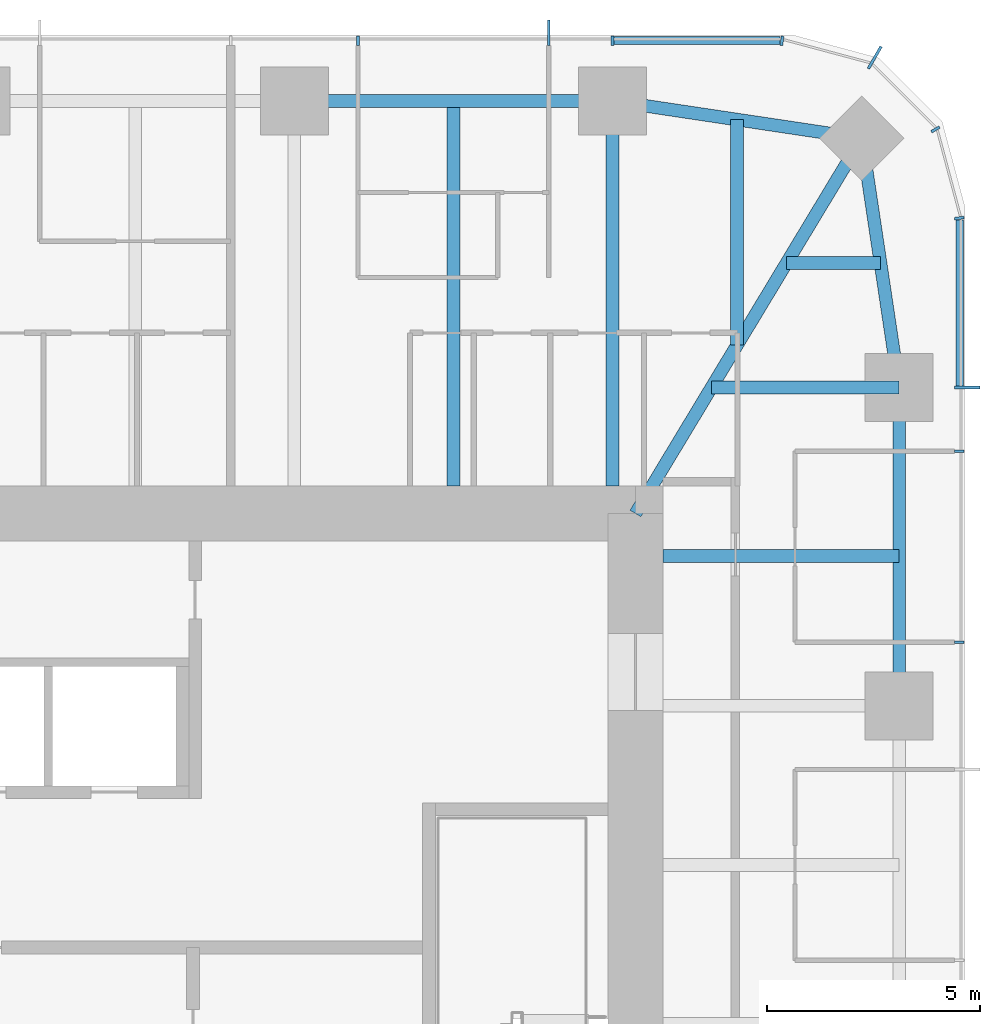
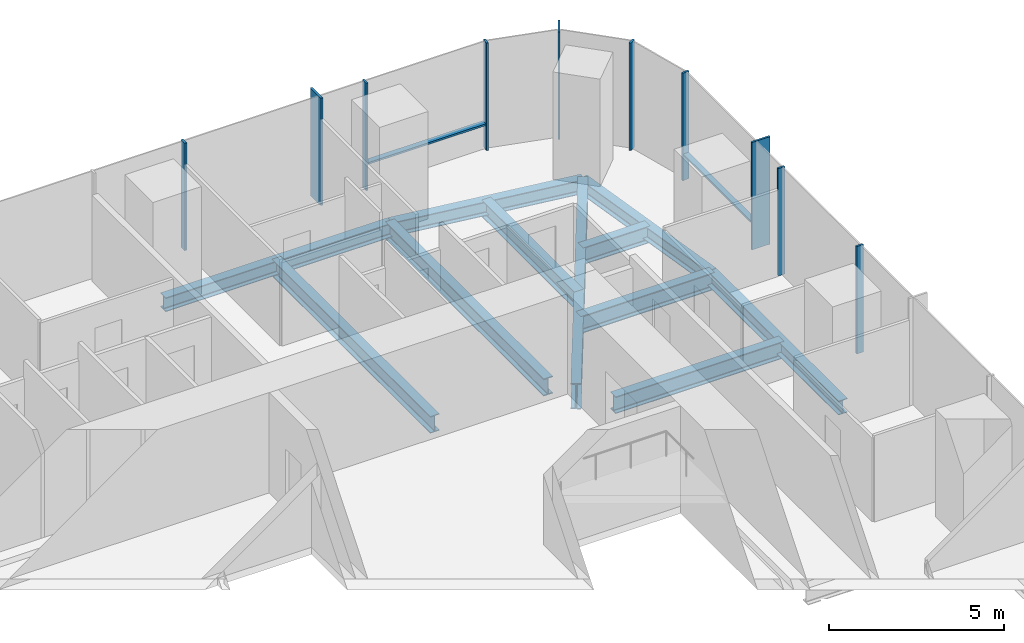
# One storey, part 6 of 12: 12 members, 11 beams, 3 elements without a shape of their own.
"""IFC4 building model written with IfcOpenShell, lengths in metres."""

import ifcopenshell
import ifcopenshell.guid

model = None  # the IFC model being written
_history = None  # IfcOwnerHistory: only IFC2X3 demands one
_inside = {}  # id of a spatial element -> (the spatial element, [elements in it])
_under = {}  # id of a project, library or spatial element -> (it, [spatial elements below it])
_declared = {}  # id of a project -> (the project, [libraries it declares])
_typed = {}  # id of a type object -> (the type object, [elements of that type])
_made_of = {}  # id of a material, layer set ... -> (it, [elements and type objects made of it])


def new_model(schema):
    """Start an empty IFC model of exactly this schema.

    Asked for "IFC4X3", IfcOpenShell would pick the latest addendum, in which some entities
    have other attributes; the version numbers below select the first issue.
    IFC2X3 requires an IfcOwnerHistory on every rooted entity: one is made here for all.
    """
    global model, _history
    if schema == "IFC4X3":
        model = ifcopenshell.file(schema_version=(4, 3, 0, 0))
    else:
        model = ifcopenshell.file(schema=schema)
    _inside.clear()
    _under.clear()
    _declared.clear()
    _typed.clear()
    _made_of.clear()
    _history = None
    if model.schema == "IFC2X3":
        org = make("IfcOrganization", Name="unknown")
        user = make(
            "IfcPersonAndOrganization",
            ThePerson=make("IfcPerson", FamilyName="unknown"),
            TheOrganization=org,
        )
        app = make(
            "IfcApplication",
            ApplicationDeveloper=org,
            Version="unknown",
            ApplicationFullName="unknown",
            ApplicationIdentifier="unknown",
        )
        _history = make(
            "IfcOwnerHistory",
            OwningUser=user,
            OwningApplication=app,
            ChangeAction="ADDED",
            CreationDate=0,
        )
    return model


def make(cls, **values):
    """One entity of the class cls with the attributes given. An attribute that is None is left unset."""
    return model.create_entity(
        cls, **{name: value for name, value in values.items() if value is not None}
    )


def rooted(cls, **values):
    """An entity with a GlobalId (a new one), such as an element, a storey or a relation."""
    return make(cls, GlobalId=ifcopenshell.guid.new(), OwnerHistory=_history, **values)


def si_unit(unit_type, name, prefix=None):
    """IfcSIUnit, for example si_unit("LENGTHUNIT", "METRE", prefix="MILLI")."""
    return make("IfcSIUnit", UnitType=unit_type, Prefix=prefix, Name=name)


def assignment(units):
    """IfcUnitAssignment: the units of a project."""
    return None if units is None else make("IfcUnitAssignment", Units=units)


def point(xyz):
    """IfcCartesianPoint."""
    return None if xyz is None else make("IfcCartesianPoint", Coordinates=xyz)


def direction(xyz):
    """IfcDirection."""
    return None if xyz is None else make("IfcDirection", DirectionRatios=xyz)


def frame(location, z_axis=None, x_axis=None):
    """IfcAxis2Placement3D, a coordinate frame: its origin and axes. An axis left out is left unset."""
    return make(
        "IfcAxis2Placement3D",
        Location=point(location),
        Axis=direction(z_axis),
        RefDirection=direction(x_axis),
    )


def frame_2d(location, x_axis=None):
    """IfcAxis2Placement2D, a coordinate frame in the plane: its origin and x axis."""
    return make(
        "IfcAxis2Placement2D", Location=point(location), RefDirection=direction(x_axis)
    )


def origin():
    """The frame at (0, 0, 0) with its axes left unset."""
    return frame((0.0, 0.0, 0.0))


def origin_2d():
    """The frame at (0, 0) in the plane with its x axis left unset."""
    return frame_2d((0.0, 0.0))


def place(relative_to, where):
    """IfcLocalPlacement: puts the frame where relative to a parent placement (None: the world)."""
    return make(
        "IfcLocalPlacement", PlacementRelTo=relative_to, RelativePlacement=where
    )


def context(
    kind, dimensions, precision=None, world=None, true_north=None, identifier=None
):
    """IfcGeometricRepresentationContext, for example the 3D "Model" context."""
    return make(
        "IfcGeometricRepresentationContext",
        ContextIdentifier=identifier,
        ContextType=kind,
        CoordinateSpaceDimension=dimensions,
        Precision=precision,
        WorldCoordinateSystem=world,
        TrueNorth=true_north,
    )


def subcontext(parent, identifier, kind, view, scale=None):
    """IfcGeometricRepresentationSubContext, for example "Body" below "Model"."""
    return make(
        "IfcGeometricRepresentationSubContext",
        ContextIdentifier=identifier,
        ContextType=kind,
        ParentContext=parent,
        TargetScale=scale,
        TargetView=view,
    )


def project(units=None, contexts=None):
    """IfcProject with its units and contexts."""
    return rooted(
        "IfcProject",
        Name="project",
        RepresentationContexts=contexts,
        UnitsInContext=assignment(units),
    )


def spatial(cls, under=None, at=None, **own):
    """A site, building, storey or space (cls), placed at a placement, below another one or the project."""
    s = rooted(cls, ObjectPlacement=at, **own)
    if under is not None:
        _under.setdefault(under.id(), (under, []))[1].append(s)
    return s


def profile(cls, at=None, kind="AREA", **sizes):
    """A parametric profile (cls). Its sizes go by their IFC names, for example OverallWidth=200.0."""
    return make(cls, ProfileType=kind, Position=at, **sizes)


def rectangle(**sizes):
    """IfcRectangleProfileDef."""
    return profile("IfcRectangleProfileDef", **sizes)


def i_section(**sizes):
    """IfcIShapeProfileDef."""
    return profile("IfcIShapeProfileDef", **sizes)


def extrude(swept, where, along, depth):
    """IfcExtrudedAreaSolid: the profile swept, set in the frame where, extruded along a direction by depth."""
    return make(
        "IfcExtrudedAreaSolid",
        SweptArea=swept,
        Position=where,
        ExtrudedDirection=direction(along),
        Depth=depth,
    )


def shape(context_of_items, identifier, shape_type, items):
    """IfcShapeRepresentation: the items that make up one representation, for example the "Body"."""
    return make(
        "IfcShapeRepresentation",
        ContextOfItems=context_of_items,
        RepresentationIdentifier=identifier,
        RepresentationType=shape_type,
        Items=items,
    )


def material(Name=None, Category=None):
    """IfcMaterial."""
    return make("IfcMaterial", Name=Name, Category=Category)


def material_profile(
    of_material, cross_section, Name=None, Category=None, Priority=None
):
    """IfcMaterialProfile: a cross section and its material."""
    return make(
        "IfcMaterialProfile",
        Name=Name,
        Material=of_material,
        Profile=cross_section,
        Priority=Priority,
        Category=Category,
    )


def profile_set(profiles, Name=None, composite=None):
    """IfcMaterialProfileSet."""
    return make(
        "IfcMaterialProfileSet",
        Name=Name,
        MaterialProfiles=profiles,
        CompositeProfile=composite,
    )


def made_of(thing, what):
    """Note that an element or type object is made of a material, layer set ...; save() writes the relation."""
    if what is not None:
        _made_of.setdefault(what.id(), (what, []))[1].append(thing)
    return thing


def type_object(cls, material=None, **own):
    """A type object (cls), such as IfcWallType, which elements share."""
    return made_of(rooted(cls, **own), material)


def element(
    cls,
    number,
    at=None,
    inside=None,
    cuts=None,
    type_object=None,
    material=None,
    context=None,
    identifier="Body",
    shape_type=None,
    held_by="IfcProductDefinitionShape",
    body=None,
    shapes=None,
    **own,
):
    """One element of the class cls, such as IfcWall. Its Tag is "e" and its number.

    at: its placement. inside: the storey or other place that contains it. cuts: it is an
    opening in that element (IfcRelVoidsElement). A single representation is given by context,
    identifier, shape_type and body (its items); several are given by shapes. held_by: the class
    of the entity that holds the representations. save() writes the other relations.
    """
    e = rooted(cls, Tag="e%d" % number, ObjectPlacement=at, **own)
    if body is not None:
        shapes = [shape(context, identifier, shape_type, body)]
    if shapes is not None:
        e.Representation = make(held_by, Representations=shapes)
    if inside is not None:
        _inside.setdefault(inside.id(), (inside, []))[1].append(e)
    if cuts is not None:
        rooted(
            "IfcRelVoidsElement", RelatingBuildingElement=cuts, RelatedOpeningElement=e
        )
    if type_object is not None:
        _typed.setdefault(type_object.id(), (type_object, []))[1].append(e)
    return made_of(e, material)


def aggregate(whole, parts):
    """IfcRelAggregates: a whole, such as a stair, and the parts it consists of."""
    return rooted("IfcRelAggregates", RelatingObject=whole, RelatedObjects=parts)


def save(model, path):
    """Write the relations noted so far, then the file.

    IfcRelAggregates (storeys below a building ...), IfcRelContainedInSpatialStructure (elements
    in a storey), IfcRelDefinesByType, IfcRelAssociatesMaterial and IfcRelDeclares: one each for
    every whole, place, type object, material and project.
    """
    for whole, parts in _under.values():
        aggregate(whole, parts)
    for where, things in _inside.values():
        rooted(
            "IfcRelContainedInSpatialStructure",
            RelatedElements=things,
            RelatingStructure=where,
        )
    for kind, things in _typed.values():
        rooted("IfcRelDefinesByType", RelatedObjects=things, RelatingType=kind)
    for what, things in _made_of.values():
        rooted("IfcRelAssociatesMaterial", RelatedObjects=things, RelatingMaterial=what)
    for by, libraries in _declared.values():
        rooted("IfcRelDeclares", RelatingContext=by, RelatedDefinitions=libraries)
    model.write(path)


model = new_model("IFC4")

# Units and contexts
model_context = context("Model", 3, precision=1e-05, world=origin(), true_north=direction((0.0, 1.0)))
body_context = subcontext(model_context, "Body", "Model", "MODEL_VIEW")
ifc_project = project(units=[si_unit("LENGTHUNIT", "METRE"), si_unit("AREAUNIT", "SQUARE_METRE"), si_unit("VOLUMEUNIT", "CUBIC_METRE"), si_unit("PLANEANGLEUNIT", "RADIAN"), si_unit("MASSUNIT", "GRAM", prefix="KILO")], contexts=[model_context])

# Site, building, storey
site_placement = place(None, origin())
site = spatial("IfcSite", under=ifc_project, at=site_placement, CompositionType="ELEMENT")
building_placement = place(site_placement, origin())
building = spatial("IfcBuilding", under=site, at=building_placement, Name="Khuree Lantern Residences", CompositionType="ELEMENT")
storey_placement = place(building_placement, frame((0.0, 0.0, 330.75)))
storey = spatial("IfcBuildingStorey", under=building, at=storey_placement, Name="L83", CompositionType="ELEMENT", Elevation=330.75)

# Beams
ifc_material_1 = material(Name="Steel S355", Category="steel")
ifc_material_profile_1 = material_profile(ifc_material_1, i_section(OverallWidth=0.300048828125, OverallDepth=0.590087890625, WebThickness=0.012939453125, FlangeThickness=0.02490234375, FilletRadius=0.027099609375, at=origin_2d()), Name="HE 600 A")
ifc_profile_set_1 = profile_set([ifc_material_profile_1], Name="Steel S355")
beam_type_1 = type_object("IfcBeamType", Name="B-44 SECONDARY BEAM HE 600 A", PredefinedType="BEAM", material=ifc_profile_set_1)
beam_1_placement = place(storey_placement, frame((11.219970703125, 21.699951171875, -0.544921875), z_axis=(0.0, -1.0, 0.0), x_axis=(1.0, 0.0, 0.0)))
element("IfcBeam", 1, at=beam_1_placement, inside=storey, type_object=beam_type_1, Name="Secondary beam N4", PredefinedType="BEAM", context=body_context, shape_type="SweptSolid", body=[
    extrude(i_section(OverallWidth=0.300048828125, OverallDepth=0.590087890625, WebThickness=0.012939453125, FlangeThickness=0.02490234375, FilletRadius=0.027099609375, at=origin_2d()), origin(), (0.0, 0.0, 1.0), 9.050048828125),
])
beam_2_placement = place(storey_placement, frame((17.890625, 21.2607421875, -0.544921875), z_axis=(0.0, -1.0, 0.0), x_axis=(1.0, 0.0, 0.0)))
element("IfcBeam", 2, at=beam_2_placement, inside=storey, type_object=beam_type_1, Name="Secondary beam N5", PredefinedType="BEAM", context=body_context, shape_type="SweptSolid", body=[
    extrude(i_section(OverallWidth=0.300048828125, OverallDepth=0.590087890625, WebThickness=0.012939453125, FlangeThickness=0.02490234375, FilletRadius=0.027099609375, at=origin_2d()), origin(), (0.0, 0.0, 1.0), 5.297607421875),
])
beam_3_placement = place(storey_placement, frame((21.2607421875, 17.890625, -0.544921875), z_axis=(-1.0, 0.0, 0.0), x_axis=(0.0, -1.0, 0.0)))
element("IfcBeam", 3, at=beam_3_placement, inside=storey, type_object=beam_type_1, Name="Secondary beam E1", PredefinedType="BEAM", context=body_context, shape_type="SweptSolid", body=[
    extrude(i_section(OverallWidth=0.300048828125, OverallDepth=0.590087890625, WebThickness=0.012939453125, FlangeThickness=0.02490234375, FilletRadius=0.027099609375, at=origin_2d()), origin(), (0.0, 0.0, 1.0), 2.207275390625),
])
beam_4_placement = place(storey_placement, frame((21.699951171875, 11.0, -0.544921875), z_axis=(-1.0, 0.0, 0.0), x_axis=(0.0, -1.0, 0.0)))
element("IfcBeam", 4, at=beam_4_placement, inside=storey, type_object=beam_type_1, Name="Secondary beam E2", PredefinedType="BEAM", context=body_context, shape_type="SweptSolid", body=[
    extrude(i_section(OverallWidth=0.300048828125, OverallDepth=0.590087890625, WebThickness=0.012939453125, FlangeThickness=0.02490234375, FilletRadius=0.027099609375, at=origin_2d()), origin(), (0.0, 0.0, 1.0), 5.550048828125),
])
ifc_material_profile_2 = material_profile(ifc_material_1, i_section(OverallWidth=0.300048828125, OverallDepth=0.489990234375, WebThickness=0.011962890625, FlangeThickness=0.02294921875, FilletRadius=0.027099609375, at=origin_2d()), Name="HE 500 A")
ifc_profile_set_2 = profile_set([ifc_material_profile_2], Name="Steel S355")
beam_type_2 = type_object("IfcBeamType", Name="E-44 SPANDREL BEAM HE 500 A", PredefinedType="SPANDREL", material=ifc_profile_set_2)
beam_5_placement = place(storey_placement, frame((7.47998046875, 21.699951171875, -0.4951171875), z_axis=(1.0, 0.0, 0.0), x_axis=(0.0, 1.0, 0.0)))
element("IfcBeam", 5, at=beam_5_placement, inside=storey, type_object=beam_type_2, Name="Spandrel beam N4", PredefinedType="SPANDREL", context=body_context, shape_type="SweptSolid", body=[
    extrude(i_section(OverallWidth=0.300048828125, OverallDepth=0.489990234375, WebThickness=0.011962890625, FlangeThickness=0.02294921875, FilletRadius=0.027099609375, at=origin_2d()), origin(), (0.0, 0.0, 1.0), 7.47998046875),
])
for number, where, z_axis, x_axis, name in (
    (6, (14.9599609375, 21.699951171875, -0.4951171875), (0.988949643299, -0.148251822985, 0.0), (0.148251822985, 0.988949643299, 0.0), "Spandrel beam N5"),
    (7, (20.8212890625, 20.8212890625, -0.4951171875), (0.148251822985, -0.988949643299, 0.0), (0.988949643299, 0.148251822985, 0.0), "Spandrel beam E1"),
):
    element("IfcBeam", number, at=place(storey_placement, frame(where, z_axis=z_axis, x_axis=x_axis)), inside=storey, type_object=beam_type_2, Name=name, PredefinedType="SPANDREL", context=body_context, shape_type="SweptSolid", body=[
        extrude(i_section(OverallWidth=0.300048828125, OverallDepth=0.489990234375, WebThickness=0.011962890625, FlangeThickness=0.02294921875, FilletRadius=0.027099609375, at=origin_2d()), origin(), (0.0, 0.0, 1.0), 5.9267578125),
    ])
beam_6_placement = place(storey_placement, frame((21.699951171875, 14.9599609375, -0.4951171875), z_axis=(0.0, -1.0, 0.0), x_axis=(1.0, 0.0, 0.0)))
element("IfcBeam", 8, at=beam_6_placement, inside=storey, type_object=beam_type_2, Name="Spandrel beam E2", PredefinedType="SPANDREL", context=body_context, shape_type="SweptSolid", body=[
    extrude(i_section(OverallWidth=0.300048828125, OverallDepth=0.489990234375, WebThickness=0.011962890625, FlangeThickness=0.02294921875, FilletRadius=0.027099609375, at=origin_2d()), origin(), (0.0, 0.0, 1.0), 7.47998046875),
])

# Curtain wall, member
ifc_material_2 = material(Name="Bronze anodised aluminium", Category="aluminium")
curtain_wall_type_1 = type_object("IfcCurtainWallType", Name="CW-T1 TOWER FACE CURTAIN WALL", PredefinedType="USERDEFINED", material=ifc_material_2)
curtain_wall_1_placement = place(storey_placement, origin())
curtain_wall_1 = element("IfcCurtainWall", 9, at=curtain_wall_1_placement, inside=storey, type_object=curtain_wall_type_1, Name="L83 EAST FACE CURTAIN WALL", ObjectType="Stick-built curtain wall", PredefinedType="USERDEFINED")
ifc_material_profile_3 = material_profile(ifc_material_2, rectangle(XDim=0.06494140625, YDim=0.60009765625, at=origin_2d()), Name="F1 65X600")
ifc_profile_set_3 = profile_set([ifc_material_profile_3], Name="Bronze anodised aluminium")
member_type_1 = type_object("IfcMemberType", Name="F1 BRONZE FIN MULLION TOWER 65X600", PredefinedType="MULLION", material=ifc_profile_set_3)
member_1_placement = place(storey_placement, frame((23.300048828125, 14.9599609375, 0.0), z_axis=(0.0, 0.0, 1.0), x_axis=(0.0, 1.0, 0.0)))
member_1 = element("IfcMember", 10, at=member_1_placement, type_object=member_type_1, Name="L83 EAST FACE FIN MULLION 14", PredefinedType="MULLION", context=body_context, shape_type="SweptSolid", body=[
    extrude(rectangle(XDim=0.06494140625, YDim=0.60009765625, at=origin_2d()), origin(), (0.0, 0.0, 1.0), 3.75),
])

curtain_wall_type_2 = type_object("IfcCurtainWallType", Name="CW-T2 TOWER CORNER CURTAIN WALL", PredefinedType="USERDEFINED", material=ifc_material_2)
curtain_wall_2_placement = place(storey_placement, origin())
curtain_wall_2 = element("IfcCurtainWall", 11, at=curtain_wall_2_placement, inside=storey, type_object=curtain_wall_type_2, Name="L83 NORTH-EAST CORNER CURTAIN WALL", ObjectType="Faceted corner curtain wall", PredefinedType="USERDEFINED")
member_2_placement = place(storey_placement, frame((21.125, 22.71728515625, 0.0), z_axis=(0.0, 0.0, 1.0), x_axis=(-0.866025437565, 0.49999994149, 0.0)))
member_2 = element("IfcMember", 12, at=member_2_placement, type_object=member_type_1, Name="L83 NORTH-EAST CORNER FIN MULLION 17", PredefinedType="MULLION", context=body_context, shape_type="SweptSolid", body=[
    extrude(rectangle(XDim=0.06494140625, YDim=0.60009765625, at=origin_2d()), origin(), (0.0, 0.0, 1.0), 3.75),
])

curtain_wall_3_placement = place(storey_placement, origin())
curtain_wall_3 = element("IfcCurtainWall", 13, at=curtain_wall_3_placement, inside=storey, type_object=curtain_wall_type_1, Name="L83 NORTH FACE CURTAIN WALL", ObjectType="Stick-built curtain wall", PredefinedType="USERDEFINED")
member_3_placement = place(storey_placement, frame((13.464111328125, 23.300048828125, 0.0), z_axis=(0.0, 0.0, 1.0), x_axis=(-1.0, 0.0, 0.0)))
member_3 = element("IfcMember", 14, at=member_3_placement, type_object=member_type_1, Name="L83 NORTH FACE FIN MULLION 20", PredefinedType="MULLION", context=body_context, shape_type="SweptSolid", body=[
    extrude(rectangle(XDim=0.06494140625, YDim=0.60009765625, at=origin_2d()), origin(), (0.0, 0.0, 1.0), 3.75),
])

# Beams
ifc_material_profile_4 = material_profile(ifc_material_1, i_section(OverallWidth=0.300048828125, OverallDepth=0.60009765625, WebThickness=0.015380859375, FlangeThickness=0.030029296875, FilletRadius=0.027099609375, at=origin_2d()), Name="HE 600 B")
ifc_profile_set_4 = profile_set([ifc_material_profile_4], Name="Steel S355")
beam_type_3 = type_object("IfcBeamType", Name="G-44 GIRDER HE 600 B", PredefinedType="BEAM", material=ifc_profile_set_4)
beam_7_placement = place(storey_placement, frame((14.9599609375, 21.699951171875, -0.550048828125), z_axis=(0.0, -1.0, 0.0), x_axis=(1.0, 0.0, 0.0)))
element("IfcBeam", 15, at=beam_7_placement, inside=storey, type_object=beam_type_3, Name="Girder N5", PredefinedType="BEAM", context=body_context, shape_type="SweptSolid", body=[
    extrude(i_section(OverallWidth=0.300048828125, OverallDepth=0.60009765625, WebThickness=0.015380859375, FlangeThickness=0.030029296875, FilletRadius=0.027099609375, at=origin_2d()), origin(), (0.0, 0.0, 1.0), 9.050048828125),
])
beam_8_placement = place(storey_placement, frame((21.699951171875, 14.9599609375, -0.550048828125), z_axis=(-1.0, 0.0, 0.0), x_axis=(0.0, -1.0, 0.0)))
element("IfcBeam", 16, at=beam_8_placement, inside=storey, type_object=beam_type_3, Name="Girder E1", PredefinedType="BEAM", context=body_context, shape_type="SweptSolid", body=[
    extrude(i_section(OverallWidth=0.300048828125, OverallDepth=0.60009765625, WebThickness=0.015380859375, FlangeThickness=0.030029296875, FilletRadius=0.027099609375, at=origin_2d()), origin(), (0.0, 0.0, 1.0), 4.414306640625),
])
ifc_material_profile_5 = material_profile(ifc_material_1, i_section(OverallWidth=0.300048828125, OverallDepth=0.89990234375, WebThickness=0.0185546875, FlangeThickness=0.034912109375, FilletRadius=0.030029296875, at=origin_2d()), Name="HE 900 B")
ifc_profile_set_5 = profile_set([ifc_material_profile_5], Name="Steel S355")
beam_type_4 = type_object("IfcBeamType", Name="GD-44 CORNER GIRDER HE 900 B", PredefinedType="BEAM", material=ifc_profile_set_5)
beam_9_placement = place(storey_placement, frame((20.8212890625, 20.8212890625, -0.699951171875), z_axis=(-0.516529577604, -0.856269347495, 0.0), x_axis=(0.856269347495, -0.516529577604, 0.0)))
element("IfcBeam", 17, at=beam_9_placement, inside=storey, type_object=beam_type_4, Name="Corner girder NE", PredefinedType="BEAM", context=body_context, shape_type="SweptSolid", body=[
    extrude(i_section(OverallWidth=0.300048828125, OverallDepth=0.89990234375, WebThickness=0.0185546875, FlangeThickness=0.034912109375, FilletRadius=0.030029296875, at=origin_2d()), origin(), (0.0, 0.0, 1.0), 10.302001953125),
])

# Member
ifc_material_profile_6 = material_profile(ifc_material_2, rectangle(XDim=0.06494140625, YDim=0.219970703125, at=origin_2d()), Name="M1 65X220")
ifc_profile_set_6 = profile_set([ifc_material_profile_6], Name="Bronze anodised aluminium")
member_type_2 = type_object("IfcMemberType", Name="M1 BRONZE MULLION TOWER 65X220", PredefinedType="MULLION", material=ifc_profile_set_6)
member_4_placement = place(storey_placement, frame((23.110107421875, 8.97607421875, 0.0), z_axis=(0.0, 0.0, 1.0), x_axis=(0.0, 1.0, 0.0)))
member_4 = element("IfcMember", 18, at=member_4_placement, type_object=member_type_2, Name="L83 EAST FACE MULLION 12", PredefinedType="MULLION", context=body_context, shape_type="SweptSolid", body=[
    extrude(rectangle(XDim=0.06494140625, YDim=0.219970703125, at=origin_2d()), origin(), (0.0, 0.0, 1.0), 3.75),
])

member_5_placement = place(storey_placement, frame((23.110107421875, 13.464111328125, 0.0), z_axis=(0.0, 0.0, 1.0), x_axis=(0.0, 1.0, 0.0)))
member_5 = element("IfcMember", 19, at=member_5_placement, type_object=member_type_2, Name="L83 EAST FACE MULLION 13", PredefinedType="MULLION", context=body_context, shape_type="SweptSolid", body=[
    extrude(rectangle(XDim=0.06494140625, YDim=0.219970703125, at=origin_2d()), origin(), (0.0, 0.0, 1.0), 3.75),
])

member_6_placement = place(storey_placement, frame((23.11181640625, 18.945068359375, 0.0), z_axis=(0.0, 0.0, 1.0), x_axis=(-0.130526125236, 0.991444870192, 0.0)))
member_6 = element("IfcMember", 20, at=member_6_placement, type_object=member_type_2, Name="L83 NORTH-EAST CORNER MULLION 15", PredefinedType="MULLION", context=body_context, shape_type="SweptSolid", body=[
    extrude(rectangle(XDim=0.06494140625, YDim=0.219970703125, at=origin_2d()), origin(), (0.0, 0.0, 1.0), 3.75),
])

member_7_placement = place(storey_placement, frame((22.552734375, 21.030029296875, 0.0), z_axis=(0.0, 0.0, 1.0), x_axis=(-0.49999994149, 0.866025437565, 0.0)))
member_7 = element("IfcMember", 21, at=member_7_placement, type_object=member_type_2, Name="L83 NORTH-EAST CORNER MULLION 16", PredefinedType="MULLION", context=body_context, shape_type="SweptSolid", body=[
    extrude(rectangle(XDim=0.06494140625, YDim=0.219970703125, at=origin_2d()), origin(), (0.0, 0.0, 1.0), 3.75),
])

aggregate(curtain_wall_2, [member_6, member_7, member_2])

member_8_placement = place(storey_placement, frame((18.945068359375, 23.11181640625, 0.0), z_axis=(0.0, 0.0, 1.0), x_axis=(-0.991444870192, 0.130526125236, 0.0)))
member_8 = element("IfcMember", 22, at=member_8_placement, type_object=member_type_2, Name="L83 NORTH FACE MULLION 18", PredefinedType="MULLION", context=body_context, shape_type="SweptSolid", body=[
    extrude(rectangle(XDim=0.06494140625, YDim=0.219970703125, at=origin_2d()), origin(), (0.0, 0.0, 1.0), 3.75),
])

member_9_placement = place(storey_placement, frame((14.9599609375, 23.110107421875, 0.0), z_axis=(0.0, 0.0, 1.0), x_axis=(-1.0, 0.0, 0.0)))
member_9 = element("IfcMember", 23, at=member_9_placement, type_object=member_type_2, Name="L83 NORTH FACE MULLION 19", PredefinedType="MULLION", context=body_context, shape_type="SweptSolid", body=[
    extrude(rectangle(XDim=0.06494140625, YDim=0.219970703125, at=origin_2d()), origin(), (0.0, 0.0, 1.0), 3.75),
])

member_10_placement = place(storey_placement, frame((8.97607421875, 23.110107421875, 0.0), z_axis=(0.0, 0.0, 1.0), x_axis=(-1.0, 0.0, 0.0)))
member_10 = element("IfcMember", 24, at=member_10_placement, type_object=member_type_2, Name="L83 NORTH FACE MULLION 21", PredefinedType="MULLION", context=body_context, shape_type="SweptSolid", body=[
    extrude(rectangle(XDim=0.06494140625, YDim=0.219970703125, at=origin_2d()), origin(), (0.0, 0.0, 1.0), 3.75),
])

ifc_material_profile_7 = material_profile(ifc_material_2, rectangle(XDim=0.179931640625, YDim=0.06494140625, at=origin_2d()), Name="T1 180X65")
ifc_profile_set_7 = profile_set([ifc_material_profile_7], Name="Bronze anodised aluminium")
member_type_3 = type_object("IfcMemberType", Name="TRANSOM T1 TOWER 180X65", PredefinedType="USERDEFINED", material=ifc_profile_set_7)
member_11_placement = place(storey_placement, frame((23.1201171875, 14.992431640625, 0.89990234375), z_axis=(0.0, 1.0, 0.0), x_axis=(-1.0, 0.0, 0.0)))
member_11 = element("IfcMember", 25, at=member_11_placement, type_object=member_type_3, Name="L83 EAST FACE TRANSOM 14.1", ObjectType="Transom", PredefinedType="USERDEFINED", context=body_context, shape_type="SweptSolid", body=[
    extrude(rectangle(XDim=0.179931640625, YDim=0.06494140625, at=origin_2d()), origin(), (0.0, 0.0, 1.0), 3.908935546875),
])

aggregate(curtain_wall_1, [member_4, member_5, member_1, member_11])

member_12_placement = place(storey_placement, frame((18.9013671875, 23.1201171875, 0.89990234375), z_axis=(-1.0, 0.0, 0.0), x_axis=(0.0, -1.0, 0.0)))
member_12 = element("IfcMember", 26, at=member_12_placement, type_object=member_type_3, Name="L83 NORTH FACE TRANSOM 18.1", ObjectType="Transom", PredefinedType="USERDEFINED", context=body_context, shape_type="SweptSolid", body=[
    extrude(rectangle(XDim=0.179931640625, YDim=0.06494140625, at=origin_2d()), origin(), (0.0, 0.0, 1.0), 3.908935546875),
])

aggregate(curtain_wall_3, [member_8, member_9, member_3, member_10, member_12])

save(model, "model.ifc")
